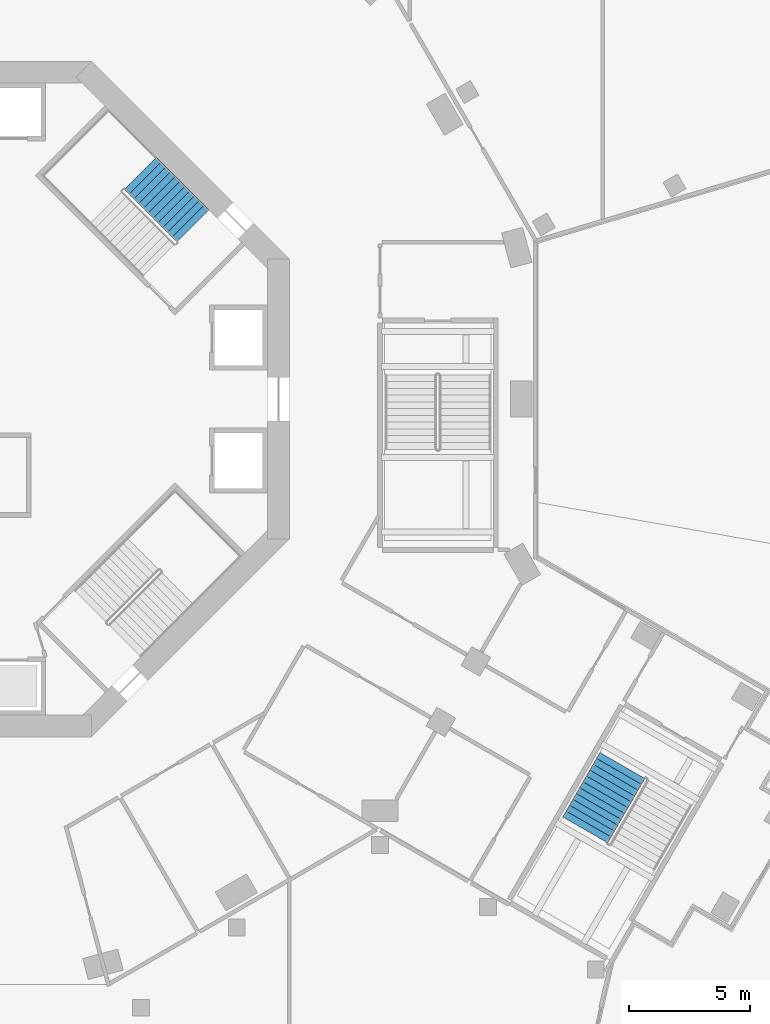
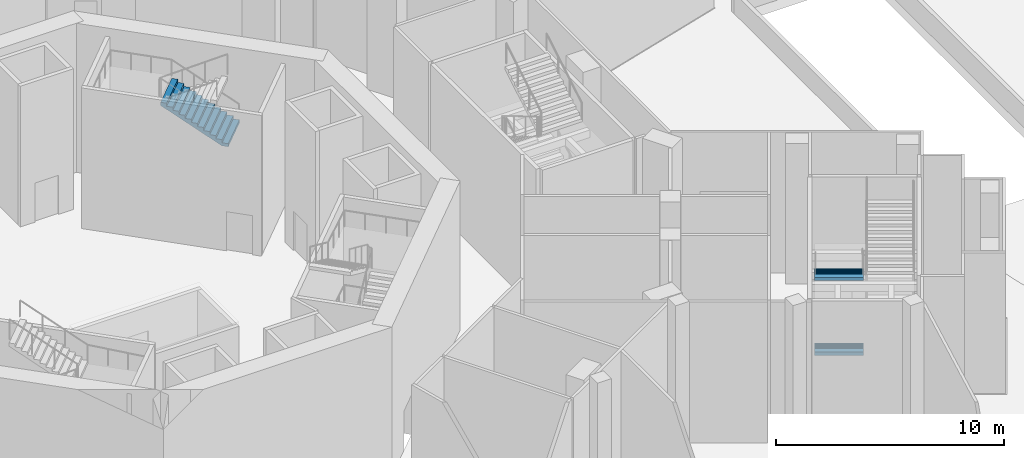
# One storey, part 18 of 30: 3 stair flights, 2 elements without a shape of their own.
"""IFC4 building model written with IfcOpenShell, lengths in metres."""

from ifc_helpers import new_model, si_unit, direction, frame, origin, place, context, subcontext, project, spatial, triangles, material, type_object, element, aggregate, save


model = new_model("IFC4")

# Units and contexts
model_context = context("Model", 3, precision=1e-05, world=origin(), true_north=direction((0.0, 1.0)))
body_context = subcontext(model_context, "Body", "Model", "MODEL_VIEW")
ifc_project = project(units=[si_unit("LENGTHUNIT", "METRE"), si_unit("AREAUNIT", "SQUARE_METRE"), si_unit("VOLUMEUNIT", "CUBIC_METRE"), si_unit("PLANEANGLEUNIT", "RADIAN"), si_unit("MASSUNIT", "GRAM", prefix="KILO")], contexts=[model_context])

# Site, building, storey
site_placement = place(None, origin())
site = spatial("IfcSite", under=ifc_project, at=site_placement, CompositionType="ELEMENT")
building_placement = place(site_placement, origin())
building = spatial("IfcBuilding", under=site, at=building_placement, Name="Verdalira Terraces Hotel", CompositionType="ELEMENT")
storey_placement = place(building_placement, origin())
storey = spatial("IfcBuildingStorey", under=building, at=storey_placement, Name="L00", CompositionType="ELEMENT", Elevation=0.0)

# Stair, stair flight
ifc_material_1 = material(Name="Concrete C40", Category="concrete")
stair_type_1 = type_object("IfcStairType", Name="Core stair 48 risers 1900 mm wide", PredefinedType="HALF_TURN_STAIR", material=ifc_material_1)
stair_1_placement = place(storey_placement, origin())
stair_1 = element("IfcStair", 1, at=stair_1_placement, inside=storey, type_object=stair_type_1, Name="L00 Exit stair ST1", PredefinedType="HALF_TURN_STAIR")
ifc_material_2 = material(Name="Concrete C40", Category="concrete")
stair_flight_type_1 = type_object("IfcStairFlightType", Name="Core stair flight 48 risers 1900 mm wide", PredefinedType="STRAIGHT", material=ifc_material_2)
stair_flight_1_placement = place(storey_placement, frame((10.005615, 7.177246, 4.0), z_axis=(0.0, 0.0, 1.0), x_axis=(-0.707106781, 0.707106781, 0.0)))
stair_flight_1 = element("IfcStairFlight", 2, at=stair_flight_1_placement, type_object=stair_flight_type_1, Name="ST1 flight 3", NumberOfRisers=12, NumberOfTreads=11, PredefinedType="STRAIGHT", RiserHeight=0.166666667, TreadLength=0.28, context=body_context, shape_type="Tessellation", body=[
    triangles([(0.0, 0.949951, 0.0), (0.292969, 0.949951, 0.0), (3.080078, 0.949951, 1.658936), (0.0, -0.949951, 0.0), (0.292969, -0.949951, 0.0), (3.080078, -0.949951, 1.658936), (3.080078, 0.949951, 1.833252), (2.800049, 0.949951, 1.833252), (3.080078, -0.949951, 1.833252), (2.800049, -0.949951, 1.833252), (2.800049, 0.949951, 1.666748), (2.800049, -0.949951, 1.666748), (2.52002, 0.949951, 1.666748), (2.52002, -0.949951, 1.666748), (2.52002, 0.949951, 1.5), (2.52002, -0.949951, 1.5), (2.23999, 0.949951, 1.5), (2.23999, 0.949951, 1.333252), (2.23999, -0.949951, 1.5), (2.23999, -0.949951, 1.333252), (1.959961, 0.949951, 1.333252), (1.959961, 0.949951, 1.166748), (1.959961, -0.949951, 1.333252), (1.959961, -0.949951, 1.166748), (1.679932, 0.949951, 1.166748), (1.679932, 0.949951, 1.0), (1.679932, -0.949951, 1.166748), (1.679932, -0.949951, 1.0), (1.399902, 0.949951, 1.0), (1.399902, 0.949951, 0.833252), (1.399902, -0.949951, 1.0), (1.399902, -0.949951, 0.833252), (1.120117, 0.949951, 0.833252), (1.120117, 0.949951, 0.666748), (1.120117, -0.949951, 0.833252), (1.120117, -0.949951, 0.666748), (0.840088, 0.949951, 0.666748), (0.840088, 0.949951, 0.5), (0.840088, -0.949951, 0.666748), (0.840088, -0.949951, 0.5), (0.560059, 0.949951, 0.5), (0.560059, 0.949951, 0.333252), (0.560059, -0.949951, 0.5), (0.560059, -0.949951, 0.333252), (0.280029, 0.949951, 0.333252), (0.280029, 0.949951, 0.166748), (0.280029, -0.949951, 0.333252), (0.280029, -0.949951, 0.166748), (0.0, 0.949951, 0.166748), (0.0, -0.949951, 0.166748), (0.0, -0.890579, 0.0), (0.0, -0.890579, 0.166748), (0.0, -0.831207, 0.0), (0.0, -0.831207, 0.166748), (0.0, -0.771835, 0.0), (0.0, -0.771835, 0.166748), (0.0, -0.712463, 0.0), (0.0, -0.712463, 0.166748), (0.0, -0.653091, 0.0), (0.0, -0.653091, 0.166748), (0.0, -0.593719, 0.0), (0.0, -0.593719, 0.166748), (0.0, -0.534348, 0.0), (0.0, -0.534348, 0.166748), (0.0, -0.474976, 0.0), (0.0, -0.474976, 0.166748), (0.0, -0.415604, 0.0), (0.0, -0.415604, 0.166748), (0.0, -0.356232, 0.0), (0.0, -0.356232, 0.166748), (0.0, -0.29686, 0.0), (0.0, -0.29686, 0.166748), (0.0, -0.237488, 0.0), (0.0, -0.237488, 0.166748), (0.0, -0.178116, 0.0), (0.0, -0.178116, 0.166748), (0.0, -0.118744, 0.0), (0.0, -0.118744, 0.166748), (0.0, -0.059372, 0.0), (0.0, -0.059372, 0.166748), (0.0, 0.0, 0.0), (0.0, 0.0, 0.166748), (0.0, 0.059372, 0.0), (0.0, 0.059372, 0.166748), (0.0, 0.118744, 0.0), (0.0, 0.118744, 0.166748), (0.0, 0.178116, 0.0), (0.0, 0.178116, 0.166748), (0.0, 0.237488, 0.0), (0.0, 0.237488, 0.166748), (0.0, 0.29686, 0.0), (0.0, 0.29686, 0.166748), (0.0, 0.356232, 0.0), (0.0, 0.356232, 0.166748), (0.0, 0.415604, 0.0), (0.0, 0.415604, 0.166748), (0.0, 0.474976, 0.0), (0.0, 0.474976, 0.166748), (0.0, 0.534348, 0.0), (0.0, 0.534348, 0.166748), (0.0, 0.593719, 0.0), (0.0, 0.593719, 0.166748), (0.0, 0.653091, 0.0), (0.0, 0.653091, 0.166748), (0.0, 0.712463, 0.0), (0.0, 0.712463, 0.166748), (0.0, 0.771835, 0.0), (0.0, 0.771835, 0.166748), (0.0, 0.831207, 0.0), (0.0, 0.831207, 0.166748), (0.0, 0.890579, 0.0), (0.0, 0.890579, 0.166748), (3.080078, -0.890579, 1.833252), (3.080078, -0.831207, 1.833252), (3.080078, -0.771835, 1.833252), (3.080078, -0.712463, 1.833252), (3.080078, -0.653091, 1.833252), (3.080078, -0.593719, 1.833252), (3.080078, -0.534348, 1.833252), (3.080078, -0.474976, 1.833252), (3.080078, -0.415604, 1.833252), (3.080078, -0.356232, 1.833252), (3.080078, -0.29686, 1.833252), (3.080078, -0.237488, 1.833252), (3.080078, -0.178116, 1.833252), (3.080078, -0.118744, 1.833252), (3.080078, -0.059372, 1.833252), (3.080078, 0.0, 1.833252), (3.080078, 0.059372, 1.833252), (3.080078, 0.118744, 1.833252), (3.080078, 0.178116, 1.833252), (3.080078, 0.237488, 1.833252), (3.080078, 0.29686, 1.833252), (3.080078, 0.356232, 1.833252), (3.080078, 0.415604, 1.833252), (3.080078, 0.474976, 1.833252), (3.080078, 0.534348, 1.833252), (3.080078, 0.593719, 1.833252), (3.080078, 0.653091, 1.833252), (3.080078, 0.712463, 1.833252), (3.080078, 0.771835, 1.833252), (3.080078, 0.831207, 1.833252), (3.080078, 0.890579, 1.833252), (3.080078, -0.890579, 1.658936), (3.080078, -0.831207, 1.658936), (3.080078, -0.771835, 1.658936), (3.080078, -0.712463, 1.658936), (3.080078, -0.653091, 1.658936), (3.080078, -0.593719, 1.658936), (3.080078, -0.534348, 1.658936), (3.080078, -0.474976, 1.658936), (3.080078, -0.415604, 1.658936), (3.080078, -0.356232, 1.658936), (3.080078, -0.29686, 1.658936), (3.080078, -0.237488, 1.658936), (3.080078, -0.178116, 1.658936), (3.080078, -0.118744, 1.658936), (3.080078, -0.059372, 1.658936), (3.080078, 0.0, 1.658936), (3.080078, 0.059372, 1.658936), (3.080078, 0.118744, 1.658936), (3.080078, 0.178116, 1.658936), (3.080078, 0.237488, 1.658936), (3.080078, 0.29686, 1.658936), (3.080078, 0.356232, 1.658936), (3.080078, 0.415604, 1.658936), (3.080078, 0.474976, 1.658936), (3.080078, 0.534348, 1.658936), (3.080078, 0.593719, 1.658936), (3.080078, 0.653091, 1.658936), (3.080078, 0.712463, 1.658936), (3.080078, 0.771835, 1.658936), (3.080078, 0.831207, 1.658936), (3.080078, 0.890579, 1.658936)], [[1, 3, 2], [4, 5, 6], [3, 8, 7], [6, 9, 10], [3, 11, 8], [6, 10, 12], [3, 13, 11], [6, 12, 14], [3, 15, 13], [6, 14, 16], [15, 18, 17], [16, 19, 20], [3, 18, 15], [6, 16, 20], [18, 22, 21], [20, 23, 24], [3, 22, 18], [6, 20, 24], [22, 26, 25], [24, 27, 28], [3, 26, 22], [6, 24, 28], [26, 30, 29], [28, 31, 32], [3, 30, 26], [6, 28, 32], [30, 34, 33], [32, 35, 36], [3, 34, 30], [6, 32, 36], [34, 38, 37], [36, 39, 40], [3, 38, 34], [6, 36, 40], [38, 42, 41], [40, 43, 44], [3, 42, 38], [6, 40, 44], [1, 42, 3], [4, 6, 44], [42, 46, 45], [44, 47, 48], [1, 46, 42], [4, 44, 48], [46, 1, 49], [48, 50, 4], [4, 52, 51], [4, 50, 52], [51, 54, 53], [51, 52, 54], [53, 56, 55], [53, 54, 56], [55, 58, 57], [55, 56, 58], [57, 60, 59], [57, 58, 60], [59, 62, 61], [59, 60, 62], [61, 64, 63], [61, 62, 64], [63, 66, 65], [63, 64, 66], [65, 68, 67], [65, 66, 68], [67, 70, 69], [67, 68, 70], [69, 72, 71], [69, 70, 72], [71, 74, 73], [71, 72, 74], [73, 76, 75], [73, 74, 76], [75, 78, 77], [75, 76, 78], [77, 80, 79], [77, 78, 80], [79, 82, 81], [79, 80, 82], [81, 84, 83], [81, 82, 84], [83, 86, 85], [83, 84, 86], [85, 88, 87], [85, 86, 88], [87, 90, 89], [87, 88, 90], [89, 92, 91], [89, 90, 92], [91, 94, 93], [91, 92, 94], [93, 96, 95], [93, 94, 96], [95, 98, 97], [95, 96, 98], [97, 100, 99], [97, 98, 100], [99, 102, 101], [99, 100, 102], [101, 104, 103], [101, 102, 104], [103, 106, 105], [103, 104, 106], [105, 108, 107], [105, 106, 108], [107, 110, 109], [107, 108, 110], [109, 112, 111], [109, 110, 112], [111, 49, 1], [111, 112, 49], [50, 48, 52], [52, 48, 54], [54, 48, 56], [56, 48, 58], [58, 48, 60], [60, 48, 62], [62, 48, 64], [64, 48, 66], [66, 48, 68], [68, 48, 70], [70, 48, 72], [72, 48, 74], [74, 48, 76], [76, 48, 78], [78, 48, 80], [80, 48, 82], [82, 48, 84], [84, 48, 86], [86, 48, 88], [88, 48, 90], [90, 48, 92], [92, 48, 94], [94, 48, 96], [96, 48, 98], [98, 48, 100], [100, 48, 102], [102, 48, 104], [104, 48, 106], [106, 48, 108], [108, 48, 110], [110, 48, 112], [112, 48, 49], [49, 48, 46], [48, 45, 46], [48, 47, 45], [47, 42, 45], [47, 44, 42], [44, 41, 42], [44, 43, 41], [43, 38, 41], [43, 40, 38], [40, 37, 38], [40, 39, 37], [39, 34, 37], [39, 36, 34], [36, 33, 34], [36, 35, 33], [35, 30, 33], [35, 32, 30], [32, 29, 30], [32, 31, 29], [31, 26, 29], [31, 28, 26], [28, 25, 26], [28, 27, 25], [27, 22, 25], [27, 24, 22], [24, 21, 22], [24, 23, 21], [23, 18, 21], [23, 20, 18], [20, 17, 18], [20, 19, 17], [19, 15, 17], [19, 16, 15], [16, 13, 15], [16, 14, 13], [14, 11, 13], [14, 12, 11], [12, 8, 11], [12, 10, 8], [9, 113, 10], [113, 114, 10], [114, 115, 10], [115, 116, 10], [116, 117, 10], [117, 118, 10], [118, 119, 10], [119, 120, 10], [120, 121, 10], [121, 122, 10], [122, 123, 10], [123, 124, 10], [124, 125, 10], [125, 126, 10], [126, 127, 10], [127, 128, 10], [128, 129, 10], [129, 130, 10], [130, 131, 10], [131, 132, 10], [132, 133, 10], [133, 134, 10], [134, 135, 10], [135, 136, 10], [136, 137, 10], [137, 138, 10], [138, 139, 10], [139, 140, 10], [140, 141, 10], [141, 142, 10], [142, 143, 10], [143, 7, 10], [7, 8, 10], [9, 144, 113], [9, 6, 144], [113, 145, 114], [113, 144, 145], [114, 146, 115], [114, 145, 146], [115, 147, 116], [115, 146, 147], [116, 148, 117], [116, 147, 148], [117, 149, 118], [117, 148, 149], [118, 150, 119], [118, 149, 150], [119, 151, 120], [119, 150, 151], [120, 152, 121], [120, 151, 152], [121, 153, 122], [121, 152, 153], [122, 154, 123], [122, 153, 154], [123, 155, 124], [123, 154, 155], [124, 156, 125], [124, 155, 156], [125, 157, 126], [125, 156, 157], [126, 158, 127], [126, 157, 158], [127, 159, 128], [127, 158, 159], [128, 160, 129], [128, 159, 160], [129, 161, 130], [129, 160, 161], [130, 162, 131], [130, 161, 162], [131, 163, 132], [131, 162, 163], [132, 164, 133], [132, 163, 164], [133, 165, 134], [133, 164, 165], [134, 166, 135], [134, 165, 166], [135, 167, 136], [135, 166, 167], [136, 168, 137], [136, 167, 168], [137, 169, 138], [137, 168, 169], [138, 170, 139], [138, 169, 170], [139, 171, 140], [139, 170, 171], [140, 172, 141], [140, 171, 172], [141, 173, 142], [141, 172, 173], [142, 174, 143], [142, 173, 174], [143, 3, 7], [143, 174, 3], [6, 5, 144], [144, 5, 145], [145, 5, 146], [146, 5, 147], [147, 5, 148], [148, 5, 149], [149, 5, 150], [150, 5, 151], [151, 5, 152], [152, 5, 153], [153, 5, 154], [154, 5, 155], [155, 5, 156], [156, 5, 157], [157, 5, 158], [158, 5, 159], [159, 5, 160], [160, 5, 161], [161, 5, 162], [162, 5, 163], [163, 5, 164], [164, 5, 165], [165, 5, 166], [166, 5, 167], [167, 5, 168], [168, 5, 169], [169, 5, 170], [170, 5, 171], [171, 5, 172], [172, 5, 173], [173, 5, 174], [174, 5, 3], [3, 5, 2], [4, 51, 5], [51, 53, 5], [53, 55, 5], [55, 57, 5], [57, 59, 5], [59, 61, 5], [61, 63, 5], [63, 65, 5], [65, 67, 5], [67, 69, 5], [69, 71, 5], [71, 73, 5], [73, 75, 5], [75, 77, 5], [77, 79, 5], [79, 81, 5], [81, 83, 5], [83, 85, 5], [85, 87, 5], [87, 89, 5], [89, 91, 5], [91, 93, 5], [93, 95, 5], [95, 97, 5], [97, 99, 5], [99, 101, 5], [101, 103, 5], [103, 105, 5], [105, 107, 5], [107, 109, 5], [109, 111, 5], [111, 1, 5], [1, 2, 5]], closed=True),
])
aggregate(stair_1, [stair_flight_1])

# Stair, stair flights
ifc_material_3 = material(Name="Concrete C40", Category="concrete")
stair_type_2 = type_object("IfcStairType", Name="Podium stair 48 risers", PredefinedType="HALF_TURN_STAIR", material=ifc_material_3)
stair_2_placement = place(storey_placement, origin())
stair_2 = element("IfcStair", 3, at=stair_2_placement, inside=storey, type_object=stair_type_2, Name="L00 Exit stair PS3", PredefinedType="HALF_TURN_STAIR")
ifc_material_4 = material(Name="Concrete C40", Category="concrete")
stair_flight_type_2 = type_object("IfcStairFlightType", Name="Podium stair flight 48 risers", PredefinedType="STRAIGHT", material=ifc_material_4)
stair_flight_2_placement = place(storey_placement, frame((27.806396, -15.187988, 0.0), z_axis=(0.0, 0.0, 1.0), x_axis=(-0.5, -0.866025404, 0.0)))
stair_flight_2 = element("IfcStairFlight", 4, at=stair_flight_2_placement, type_object=stair_flight_type_2, Name="PS3 flight 1", NumberOfRisers=12, NumberOfTreads=11, PredefinedType="STRAIGHT", RiserHeight=0.166666667, TreadLength=0.28, context=body_context, shape_type="Tessellation", body=[
    triangles([(0.0, 1.074951, 0.0), (0.292969, 1.074951, 0.0), (3.080078, 1.074951, 1.658936), (0.0, -1.074951, 0.0), (0.292969, -1.074951, 0.0), (3.080078, -1.074951, 1.658936), (3.080078, 1.074951, 1.833252), (2.800049, 1.074951, 1.833252), (3.080078, -1.074951, 1.833252), (2.800049, -1.074951, 1.833252), (2.800049, 1.074951, 1.666748), (2.800049, -1.074951, 1.666748), (2.52002, 1.074951, 1.666748), (2.52002, -1.074951, 1.666748), (2.52002, 1.074951, 1.5), (2.52002, -1.074951, 1.5), (2.23999, 1.074951, 1.5), (2.23999, 1.074951, 1.333252), (2.23999, -1.074951, 1.5), (2.23999, -1.074951, 1.333252), (1.959961, 1.074951, 1.333252), (1.959961, 1.074951, 1.166748), (1.959961, -1.074951, 1.333252), (1.959961, -1.074951, 1.166748), (1.679932, 1.074951, 1.166748), (1.679932, 1.074951, 1.0), (1.679932, -1.074951, 1.166748), (1.679932, -1.074951, 1.0), (1.399902, 1.074951, 1.0), (1.399902, 1.074951, 0.833252), (1.399902, -1.074951, 1.0), (1.399902, -1.074951, 0.833252), (1.120117, 1.074951, 0.833252), (1.120117, 1.074951, 0.666748), (1.120117, -1.074951, 0.833252), (1.120117, -1.074951, 0.666748), (0.840088, 1.074951, 0.666748), (0.840088, 1.074951, 0.5), (0.840088, -1.074951, 0.666748), (0.840088, -1.074951, 0.5), (0.560059, 1.074951, 0.5), (0.560059, 1.074951, 0.333252), (0.560059, -1.074951, 0.5), (0.560059, -1.074951, 0.333252), (0.280029, 1.074951, 0.333252), (0.280029, 1.074951, 0.166748), (0.280029, -1.074951, 0.333252), (0.280029, -1.074951, 0.166748), (0.0, 1.074951, 0.166748), (0.0, -1.074951, 0.166748), (0.0, -1.007767, 0.0), (0.0, -1.007767, 0.166748), (0.0, -0.940582, 0.0), (0.0, -0.940582, 0.166748), (0.0, -0.873398, 0.0), (0.0, -0.873398, 0.166748), (0.0, -0.806213, 0.0), (0.0, -0.806213, 0.166748), (0.0, -0.739029, 0.0), (0.0, -0.739029, 0.166748), (0.0, -0.671844, 0.0), (0.0, -0.671844, 0.166748), (0.0, -0.60466, 0.0), (0.0, -0.60466, 0.166748), (0.0, -0.537476, 0.0), (0.0, -0.537476, 0.166748), (0.0, -0.470291, 0.0), (0.0, -0.470291, 0.166748), (0.0, -0.403107, 0.0), (0.0, -0.403107, 0.166748), (0.0, -0.335922, 0.0), (0.0, -0.335922, 0.166748), (0.0, -0.268738, 0.0), (0.0, -0.268738, 0.166748), (0.0, -0.201553, 0.0), (0.0, -0.201553, 0.166748), (0.0, -0.134369, 0.0), (0.0, -0.134369, 0.166748), (0.0, -0.067184, 0.0), (0.0, -0.067184, 0.166748), (0.0, 0.0, 0.0), (0.0, 0.0, 0.166748), (0.0, 0.067184, 0.0), (0.0, 0.067184, 0.166748), (0.0, 0.134369, 0.0), (0.0, 0.134369, 0.166748), (0.0, 0.201553, 0.0), (0.0, 0.201553, 0.166748), (0.0, 0.268738, 0.0), (0.0, 0.268738, 0.166748), (0.0, 0.335922, 0.0), (0.0, 0.335922, 0.166748), (0.0, 0.403107, 0.0), (0.0, 0.403107, 0.166748), (0.0, 0.470291, 0.0), (0.0, 0.470291, 0.166748), (0.0, 0.537476, 0.0), (0.0, 0.537476, 0.166748), (0.0, 0.60466, 0.0), (0.0, 0.60466, 0.166748), (0.0, 0.671844, 0.0), (0.0, 0.671844, 0.166748), (0.0, 0.739029, 0.0), (0.0, 0.739029, 0.166748), (0.0, 0.806213, 0.0), (0.0, 0.806213, 0.166748), (0.0, 0.873398, 0.0), (0.0, 0.873398, 0.166748), (0.0, 0.940582, 0.0), (0.0, 0.940582, 0.166748), (0.0, 1.007767, 0.0), (0.0, 1.007767, 0.166748), (3.080078, -1.007767, 1.833252), (3.080078, -0.940582, 1.833252), (3.080078, -0.873398, 1.833252), (3.080078, -0.806213, 1.833252), (3.080078, -0.739029, 1.833252), (3.080078, -0.671844, 1.833252), (3.080078, -0.60466, 1.833252), (3.080078, -0.537476, 1.833252), (3.080078, -0.470291, 1.833252), (3.080078, -0.403107, 1.833252), (3.080078, -0.335922, 1.833252), (3.080078, -0.268738, 1.833252), (3.080078, -0.201553, 1.833252), (3.080078, -0.134369, 1.833252), (3.080078, -0.067184, 1.833252), (3.080078, 0.0, 1.833252), (3.080078, 0.067184, 1.833252), (3.080078, 0.134369, 1.833252), (3.080078, 0.201553, 1.833252), (3.080078, 0.268738, 1.833252), (3.080078, 0.335922, 1.833252), (3.080078, 0.403107, 1.833252), (3.080078, 0.470291, 1.833252), (3.080078, 0.537476, 1.833252), (3.080078, 0.60466, 1.833252), (3.080078, 0.671844, 1.833252), (3.080078, 0.739029, 1.833252), (3.080078, 0.806213, 1.833252), (3.080078, 0.873398, 1.833252), (3.080078, 0.940582, 1.833252), (3.080078, 1.007767, 1.833252), (3.080078, -1.007767, 1.658936), (3.080078, -0.940582, 1.658936), (3.080078, -0.873398, 1.658936), (3.080078, -0.806213, 1.658936), (3.080078, -0.739029, 1.658936), (3.080078, -0.671844, 1.658936), (3.080078, -0.60466, 1.658936), (3.080078, -0.537476, 1.658936), (3.080078, -0.470291, 1.658936), (3.080078, -0.403107, 1.658936), (3.080078, -0.335922, 1.658936), (3.080078, -0.268738, 1.658936), (3.080078, -0.201553, 1.658936), (3.080078, -0.134369, 1.658936), (3.080078, -0.067184, 1.658936), (3.080078, 0.0, 1.658936), (3.080078, 0.067184, 1.658936), (3.080078, 0.134369, 1.658936), (3.080078, 0.201553, 1.658936), (3.080078, 0.268738, 1.658936), (3.080078, 0.335922, 1.658936), (3.080078, 0.403107, 1.658936), (3.080078, 0.470291, 1.658936), (3.080078, 0.537476, 1.658936), (3.080078, 0.60466, 1.658936), (3.080078, 0.671844, 1.658936), (3.080078, 0.739029, 1.658936), (3.080078, 0.806213, 1.658936), (3.080078, 0.873398, 1.658936), (3.080078, 0.940582, 1.658936), (3.080078, 1.007767, 1.658936)], [[1, 3, 2], [4, 5, 6], [3, 8, 7], [6, 9, 10], [3, 11, 8], [6, 10, 12], [3, 13, 11], [6, 12, 14], [3, 15, 13], [6, 14, 16], [15, 18, 17], [16, 19, 20], [3, 18, 15], [6, 16, 20], [18, 22, 21], [20, 23, 24], [3, 22, 18], [6, 20, 24], [22, 26, 25], [24, 27, 28], [3, 26, 22], [6, 24, 28], [26, 30, 29], [28, 31, 32], [3, 30, 26], [6, 28, 32], [30, 34, 33], [32, 35, 36], [3, 34, 30], [6, 32, 36], [34, 38, 37], [36, 39, 40], [3, 38, 34], [6, 36, 40], [38, 42, 41], [40, 43, 44], [3, 42, 38], [6, 40, 44], [1, 42, 3], [4, 6, 44], [42, 46, 45], [44, 47, 48], [1, 46, 42], [4, 44, 48], [46, 1, 49], [48, 50, 4], [4, 52, 51], [4, 50, 52], [51, 54, 53], [51, 52, 54], [53, 56, 55], [53, 54, 56], [55, 58, 57], [55, 56, 58], [57, 60, 59], [57, 58, 60], [59, 62, 61], [59, 60, 62], [61, 64, 63], [61, 62, 64], [63, 66, 65], [63, 64, 66], [65, 68, 67], [65, 66, 68], [67, 70, 69], [67, 68, 70], [69, 72, 71], [69, 70, 72], [71, 74, 73], [71, 72, 74], [73, 76, 75], [73, 74, 76], [75, 78, 77], [75, 76, 78], [77, 80, 79], [77, 78, 80], [79, 82, 81], [79, 80, 82], [81, 84, 83], [81, 82, 84], [83, 86, 85], [83, 84, 86], [85, 88, 87], [85, 86, 88], [87, 90, 89], [87, 88, 90], [89, 92, 91], [89, 90, 92], [91, 94, 93], [91, 92, 94], [93, 96, 95], [93, 94, 96], [95, 98, 97], [95, 96, 98], [97, 100, 99], [97, 98, 100], [99, 102, 101], [99, 100, 102], [101, 104, 103], [101, 102, 104], [103, 106, 105], [103, 104, 106], [105, 108, 107], [105, 106, 108], [107, 110, 109], [107, 108, 110], [109, 112, 111], [109, 110, 112], [111, 49, 1], [111, 112, 49], [50, 48, 52], [52, 48, 54], [54, 48, 56], [56, 48, 58], [58, 48, 60], [60, 48, 62], [62, 48, 64], [64, 48, 66], [66, 48, 68], [68, 48, 70], [70, 48, 72], [72, 48, 74], [74, 48, 76], [76, 48, 78], [78, 48, 80], [80, 48, 82], [82, 48, 84], [84, 48, 86], [86, 48, 88], [88, 48, 90], [90, 48, 92], [92, 48, 94], [94, 48, 96], [96, 48, 98], [98, 48, 100], [100, 48, 102], [102, 48, 104], [104, 48, 106], [106, 48, 108], [108, 48, 110], [110, 48, 112], [112, 48, 49], [49, 48, 46], [48, 45, 46], [48, 47, 45], [47, 42, 45], [47, 44, 42], [44, 41, 42], [44, 43, 41], [43, 38, 41], [43, 40, 38], [40, 37, 38], [40, 39, 37], [39, 34, 37], [39, 36, 34], [36, 33, 34], [36, 35, 33], [35, 30, 33], [35, 32, 30], [32, 29, 30], [32, 31, 29], [31, 26, 29], [31, 28, 26], [28, 25, 26], [28, 27, 25], [27, 22, 25], [27, 24, 22], [24, 21, 22], [24, 23, 21], [23, 18, 21], [23, 20, 18], [20, 17, 18], [20, 19, 17], [19, 15, 17], [19, 16, 15], [16, 13, 15], [16, 14, 13], [14, 11, 13], [14, 12, 11], [12, 8, 11], [12, 10, 8], [9, 113, 10], [113, 114, 10], [114, 115, 10], [115, 116, 10], [116, 117, 10], [117, 118, 10], [118, 119, 10], [119, 120, 10], [120, 121, 10], [121, 122, 10], [122, 123, 10], [123, 124, 10], [124, 125, 10], [125, 126, 10], [126, 127, 10], [127, 128, 10], [128, 129, 10], [129, 130, 10], [130, 131, 10], [131, 132, 10], [132, 133, 10], [133, 134, 10], [134, 135, 10], [135, 136, 10], [136, 137, 10], [137, 138, 10], [138, 139, 10], [139, 140, 10], [140, 141, 10], [141, 142, 10], [142, 143, 10], [143, 7, 10], [7, 8, 10], [9, 144, 113], [9, 6, 144], [113, 145, 114], [113, 144, 145], [114, 146, 115], [114, 145, 146], [115, 147, 116], [115, 146, 147], [116, 148, 117], [116, 147, 148], [117, 149, 118], [117, 148, 149], [118, 150, 119], [118, 149, 150], [119, 151, 120], [119, 150, 151], [120, 152, 121], [120, 151, 152], [121, 153, 122], [121, 152, 153], [122, 154, 123], [122, 153, 154], [123, 155, 124], [123, 154, 155], [124, 156, 125], [124, 155, 156], [125, 157, 126], [125, 156, 157], [126, 158, 127], [126, 157, 158], [127, 159, 128], [127, 158, 159], [128, 160, 129], [128, 159, 160], [129, 161, 130], [129, 160, 161], [130, 162, 131], [130, 161, 162], [131, 163, 132], [131, 162, 163], [132, 164, 133], [132, 163, 164], [133, 165, 134], [133, 164, 165], [134, 166, 135], [134, 165, 166], [135, 167, 136], [135, 166, 167], [136, 168, 137], [136, 167, 168], [137, 169, 138], [137, 168, 169], [138, 170, 139], [138, 169, 170], [139, 171, 140], [139, 170, 171], [140, 172, 141], [140, 171, 172], [141, 173, 142], [141, 172, 173], [142, 174, 143], [142, 173, 174], [143, 3, 7], [143, 174, 3], [6, 5, 144], [144, 5, 145], [145, 5, 146], [146, 5, 147], [147, 5, 148], [148, 5, 149], [149, 5, 150], [150, 5, 151], [151, 5, 152], [152, 5, 153], [153, 5, 154], [154, 5, 155], [155, 5, 156], [156, 5, 157], [157, 5, 158], [158, 5, 159], [159, 5, 160], [160, 5, 161], [161, 5, 162], [162, 5, 163], [163, 5, 164], [164, 5, 165], [165, 5, 166], [166, 5, 167], [167, 5, 168], [168, 5, 169], [169, 5, 170], [170, 5, 171], [171, 5, 172], [172, 5, 173], [173, 5, 174], [174, 5, 3], [3, 5, 2], [4, 51, 5], [51, 53, 5], [53, 55, 5], [55, 57, 5], [57, 59, 5], [59, 61, 5], [61, 63, 5], [63, 65, 5], [65, 67, 5], [67, 69, 5], [69, 71, 5], [71, 73, 5], [73, 75, 5], [75, 77, 5], [77, 79, 5], [79, 81, 5], [81, 83, 5], [83, 85, 5], [85, 87, 5], [87, 89, 5], [89, 91, 5], [91, 93, 5], [93, 95, 5], [95, 97, 5], [97, 99, 5], [99, 101, 5], [101, 103, 5], [103, 105, 5], [105, 107, 5], [107, 109, 5], [109, 111, 5], [111, 1, 5], [1, 2, 5]], closed=True),
])
stair_flight_3_placement = place(storey_placement, frame((27.806396, -15.187988, 4.0), z_axis=(0.0, 0.0, 1.0), x_axis=(-0.5, -0.866025404, 0.0)))
stair_flight_3 = element("IfcStairFlight", 5, at=stair_flight_3_placement, type_object=stair_flight_type_2, Name="PS3 flight 3", NumberOfRisers=12, NumberOfTreads=11, PredefinedType="STRAIGHT", RiserHeight=0.166666667, TreadLength=0.28, context=body_context, shape_type="Tessellation", body=[
    triangles([(0.0, 1.074951, 0.0), (0.292969, 1.074951, 0.0), (3.080078, 1.074951, 1.658936), (0.0, -1.074951, 0.0), (0.292969, -1.074951, 0.0), (3.080078, -1.074951, 1.658936), (3.080078, 1.074951, 1.833252), (2.800049, 1.074951, 1.833252), (3.080078, -1.074951, 1.833252), (2.800049, -1.074951, 1.833252), (2.800049, 1.074951, 1.666748), (2.800049, -1.074951, 1.666748), (2.52002, 1.074951, 1.666748), (2.52002, -1.074951, 1.666748), (2.52002, 1.074951, 1.5), (2.52002, -1.074951, 1.5), (2.23999, 1.074951, 1.5), (2.23999, 1.074951, 1.333252), (2.23999, -1.074951, 1.5), (2.23999, -1.074951, 1.333252), (1.959961, 1.074951, 1.333252), (1.959961, 1.074951, 1.166748), (1.959961, -1.074951, 1.333252), (1.959961, -1.074951, 1.166748), (1.679932, 1.074951, 1.166748), (1.679932, 1.074951, 1.0), (1.679932, -1.074951, 1.166748), (1.679932, -1.074951, 1.0), (1.399902, 1.074951, 1.0), (1.399902, 1.074951, 0.833252), (1.399902, -1.074951, 1.0), (1.399902, -1.074951, 0.833252), (1.120117, 1.074951, 0.833252), (1.120117, 1.074951, 0.666748), (1.120117, -1.074951, 0.833252), (1.120117, -1.074951, 0.666748), (0.840088, 1.074951, 0.666748), (0.840088, 1.074951, 0.5), (0.840088, -1.074951, 0.666748), (0.840088, -1.074951, 0.5), (0.560059, 1.074951, 0.5), (0.560059, 1.074951, 0.333252), (0.560059, -1.074951, 0.5), (0.560059, -1.074951, 0.333252), (0.280029, 1.074951, 0.333252), (0.280029, 1.074951, 0.166748), (0.280029, -1.074951, 0.333252), (0.280029, -1.074951, 0.166748), (0.0, 1.074951, 0.166748), (0.0, -1.074951, 0.166748), (0.0, -1.007767, 0.0), (0.0, -1.007767, 0.166748), (0.0, -0.940582, 0.0), (0.0, -0.940582, 0.166748), (0.0, -0.873398, 0.0), (0.0, -0.873398, 0.166748), (0.0, -0.806213, 0.0), (0.0, -0.806213, 0.166748), (0.0, -0.739029, 0.0), (0.0, -0.739029, 0.166748), (0.0, -0.671844, 0.0), (0.0, -0.671844, 0.166748), (0.0, -0.60466, 0.0), (0.0, -0.60466, 0.166748), (0.0, -0.537476, 0.0), (0.0, -0.537476, 0.166748), (0.0, -0.470291, 0.0), (0.0, -0.470291, 0.166748), (0.0, -0.403107, 0.0), (0.0, -0.403107, 0.166748), (0.0, -0.335922, 0.0), (0.0, -0.335922, 0.166748), (0.0, -0.268738, 0.0), (0.0, -0.268738, 0.166748), (0.0, -0.201553, 0.0), (0.0, -0.201553, 0.166748), (0.0, -0.134369, 0.0), (0.0, -0.134369, 0.166748), (0.0, -0.067184, 0.0), (0.0, -0.067184, 0.166748), (0.0, 0.0, 0.0), (0.0, 0.0, 0.166748), (0.0, 0.067184, 0.0), (0.0, 0.067184, 0.166748), (0.0, 0.134369, 0.0), (0.0, 0.134369, 0.166748), (0.0, 0.201553, 0.0), (0.0, 0.201553, 0.166748), (0.0, 0.268738, 0.0), (0.0, 0.268738, 0.166748), (0.0, 0.335922, 0.0), (0.0, 0.335922, 0.166748), (0.0, 0.403107, 0.0), (0.0, 0.403107, 0.166748), (0.0, 0.470291, 0.0), (0.0, 0.470291, 0.166748), (0.0, 0.537476, 0.0), (0.0, 0.537476, 0.166748), (0.0, 0.60466, 0.0), (0.0, 0.60466, 0.166748), (0.0, 0.671844, 0.0), (0.0, 0.671844, 0.166748), (0.0, 0.739029, 0.0), (0.0, 0.739029, 0.166748), (0.0, 0.806213, 0.0), (0.0, 0.806213, 0.166748), (0.0, 0.873398, 0.0), (0.0, 0.873398, 0.166748), (0.0, 0.940582, 0.0), (0.0, 0.940582, 0.166748), (0.0, 1.007767, 0.0), (0.0, 1.007767, 0.166748), (3.080078, -1.007767, 1.833252), (3.080078, -0.940582, 1.833252), (3.080078, -0.873398, 1.833252), (3.080078, -0.806213, 1.833252), (3.080078, -0.739029, 1.833252), (3.080078, -0.671844, 1.833252), (3.080078, -0.60466, 1.833252), (3.080078, -0.537476, 1.833252), (3.080078, -0.470291, 1.833252), (3.080078, -0.403107, 1.833252), (3.080078, -0.335922, 1.833252), (3.080078, -0.268738, 1.833252), (3.080078, -0.201553, 1.833252), (3.080078, -0.134369, 1.833252), (3.080078, -0.067184, 1.833252), (3.080078, 0.0, 1.833252), (3.080078, 0.067184, 1.833252), (3.080078, 0.134369, 1.833252), (3.080078, 0.201553, 1.833252), (3.080078, 0.268738, 1.833252), (3.080078, 0.335922, 1.833252), (3.080078, 0.403107, 1.833252), (3.080078, 0.470291, 1.833252), (3.080078, 0.537476, 1.833252), (3.080078, 0.60466, 1.833252), (3.080078, 0.671844, 1.833252), (3.080078, 0.739029, 1.833252), (3.080078, 0.806213, 1.833252), (3.080078, 0.873398, 1.833252), (3.080078, 0.940582, 1.833252), (3.080078, 1.007767, 1.833252), (3.080078, -1.007767, 1.658936), (3.080078, -0.940582, 1.658936), (3.080078, -0.873398, 1.658936), (3.080078, -0.806213, 1.658936), (3.080078, -0.739029, 1.658936), (3.080078, -0.671844, 1.658936), (3.080078, -0.60466, 1.658936), (3.080078, -0.537476, 1.658936), (3.080078, -0.470291, 1.658936), (3.080078, -0.403107, 1.658936), (3.080078, -0.335922, 1.658936), (3.080078, -0.268738, 1.658936), (3.080078, -0.201553, 1.658936), (3.080078, -0.134369, 1.658936), (3.080078, -0.067184, 1.658936), (3.080078, 0.0, 1.658936), (3.080078, 0.067184, 1.658936), (3.080078, 0.134369, 1.658936), (3.080078, 0.201553, 1.658936), (3.080078, 0.268738, 1.658936), (3.080078, 0.335922, 1.658936), (3.080078, 0.403107, 1.658936), (3.080078, 0.470291, 1.658936), (3.080078, 0.537476, 1.658936), (3.080078, 0.60466, 1.658936), (3.080078, 0.671844, 1.658936), (3.080078, 0.739029, 1.658936), (3.080078, 0.806213, 1.658936), (3.080078, 0.873398, 1.658936), (3.080078, 0.940582, 1.658936), (3.080078, 1.007767, 1.658936)], [[1, 3, 2], [4, 5, 6], [3, 8, 7], [6, 9, 10], [3, 11, 8], [6, 10, 12], [3, 13, 11], [6, 12, 14], [3, 15, 13], [6, 14, 16], [15, 18, 17], [16, 19, 20], [3, 18, 15], [6, 16, 20], [18, 22, 21], [20, 23, 24], [3, 22, 18], [6, 20, 24], [22, 26, 25], [24, 27, 28], [3, 26, 22], [6, 24, 28], [26, 30, 29], [28, 31, 32], [3, 30, 26], [6, 28, 32], [30, 34, 33], [32, 35, 36], [3, 34, 30], [6, 32, 36], [34, 38, 37], [36, 39, 40], [3, 38, 34], [6, 36, 40], [38, 42, 41], [40, 43, 44], [3, 42, 38], [6, 40, 44], [1, 42, 3], [4, 6, 44], [42, 46, 45], [44, 47, 48], [1, 46, 42], [4, 44, 48], [46, 1, 49], [48, 50, 4], [4, 52, 51], [4, 50, 52], [51, 54, 53], [51, 52, 54], [53, 56, 55], [53, 54, 56], [55, 58, 57], [55, 56, 58], [57, 60, 59], [57, 58, 60], [59, 62, 61], [59, 60, 62], [61, 64, 63], [61, 62, 64], [63, 66, 65], [63, 64, 66], [65, 68, 67], [65, 66, 68], [67, 70, 69], [67, 68, 70], [69, 72, 71], [69, 70, 72], [71, 74, 73], [71, 72, 74], [73, 76, 75], [73, 74, 76], [75, 78, 77], [75, 76, 78], [77, 80, 79], [77, 78, 80], [79, 82, 81], [79, 80, 82], [81, 84, 83], [81, 82, 84], [83, 86, 85], [83, 84, 86], [85, 88, 87], [85, 86, 88], [87, 90, 89], [87, 88, 90], [89, 92, 91], [89, 90, 92], [91, 94, 93], [91, 92, 94], [93, 96, 95], [93, 94, 96], [95, 98, 97], [95, 96, 98], [97, 100, 99], [97, 98, 100], [99, 102, 101], [99, 100, 102], [101, 104, 103], [101, 102, 104], [103, 106, 105], [103, 104, 106], [105, 108, 107], [105, 106, 108], [107, 110, 109], [107, 108, 110], [109, 112, 111], [109, 110, 112], [111, 49, 1], [111, 112, 49], [50, 48, 52], [52, 48, 54], [54, 48, 56], [56, 48, 58], [58, 48, 60], [60, 48, 62], [62, 48, 64], [64, 48, 66], [66, 48, 68], [68, 48, 70], [70, 48, 72], [72, 48, 74], [74, 48, 76], [76, 48, 78], [78, 48, 80], [80, 48, 82], [82, 48, 84], [84, 48, 86], [86, 48, 88], [88, 48, 90], [90, 48, 92], [92, 48, 94], [94, 48, 96], [96, 48, 98], [98, 48, 100], [100, 48, 102], [102, 48, 104], [104, 48, 106], [106, 48, 108], [108, 48, 110], [110, 48, 112], [112, 48, 49], [49, 48, 46], [48, 45, 46], [48, 47, 45], [47, 42, 45], [47, 44, 42], [44, 41, 42], [44, 43, 41], [43, 38, 41], [43, 40, 38], [40, 37, 38], [40, 39, 37], [39, 34, 37], [39, 36, 34], [36, 33, 34], [36, 35, 33], [35, 30, 33], [35, 32, 30], [32, 29, 30], [32, 31, 29], [31, 26, 29], [31, 28, 26], [28, 25, 26], [28, 27, 25], [27, 22, 25], [27, 24, 22], [24, 21, 22], [24, 23, 21], [23, 18, 21], [23, 20, 18], [20, 17, 18], [20, 19, 17], [19, 15, 17], [19, 16, 15], [16, 13, 15], [16, 14, 13], [14, 11, 13], [14, 12, 11], [12, 8, 11], [12, 10, 8], [9, 113, 10], [113, 114, 10], [114, 115, 10], [115, 116, 10], [116, 117, 10], [117, 118, 10], [118, 119, 10], [119, 120, 10], [120, 121, 10], [121, 122, 10], [122, 123, 10], [123, 124, 10], [124, 125, 10], [125, 126, 10], [126, 127, 10], [127, 128, 10], [128, 129, 10], [129, 130, 10], [130, 131, 10], [131, 132, 10], [132, 133, 10], [133, 134, 10], [134, 135, 10], [135, 136, 10], [136, 137, 10], [137, 138, 10], [138, 139, 10], [139, 140, 10], [140, 141, 10], [141, 142, 10], [142, 143, 10], [143, 7, 10], [7, 8, 10], [9, 144, 113], [9, 6, 144], [113, 145, 114], [113, 144, 145], [114, 146, 115], [114, 145, 146], [115, 147, 116], [115, 146, 147], [116, 148, 117], [116, 147, 148], [117, 149, 118], [117, 148, 149], [118, 150, 119], [118, 149, 150], [119, 151, 120], [119, 150, 151], [120, 152, 121], [120, 151, 152], [121, 153, 122], [121, 152, 153], [122, 154, 123], [122, 153, 154], [123, 155, 124], [123, 154, 155], [124, 156, 125], [124, 155, 156], [125, 157, 126], [125, 156, 157], [126, 158, 127], [126, 157, 158], [127, 159, 128], [127, 158, 159], [128, 160, 129], [128, 159, 160], [129, 161, 130], [129, 160, 161], [130, 162, 131], [130, 161, 162], [131, 163, 132], [131, 162, 163], [132, 164, 133], [132, 163, 164], [133, 165, 134], [133, 164, 165], [134, 166, 135], [134, 165, 166], [135, 167, 136], [135, 166, 167], [136, 168, 137], [136, 167, 168], [137, 169, 138], [137, 168, 169], [138, 170, 139], [138, 169, 170], [139, 171, 140], [139, 170, 171], [140, 172, 141], [140, 171, 172], [141, 173, 142], [141, 172, 173], [142, 174, 143], [142, 173, 174], [143, 3, 7], [143, 174, 3], [6, 5, 144], [144, 5, 145], [145, 5, 146], [146, 5, 147], [147, 5, 148], [148, 5, 149], [149, 5, 150], [150, 5, 151], [151, 5, 152], [152, 5, 153], [153, 5, 154], [154, 5, 155], [155, 5, 156], [156, 5, 157], [157, 5, 158], [158, 5, 159], [159, 5, 160], [160, 5, 161], [161, 5, 162], [162, 5, 163], [163, 5, 164], [164, 5, 165], [165, 5, 166], [166, 5, 167], [167, 5, 168], [168, 5, 169], [169, 5, 170], [170, 5, 171], [171, 5, 172], [172, 5, 173], [173, 5, 174], [174, 5, 3], [3, 5, 2], [4, 51, 5], [51, 53, 5], [53, 55, 5], [55, 57, 5], [57, 59, 5], [59, 61, 5], [61, 63, 5], [63, 65, 5], [65, 67, 5], [67, 69, 5], [69, 71, 5], [71, 73, 5], [73, 75, 5], [75, 77, 5], [77, 79, 5], [79, 81, 5], [81, 83, 5], [83, 85, 5], [85, 87, 5], [87, 89, 5], [89, 91, 5], [91, 93, 5], [93, 95, 5], [95, 97, 5], [97, 99, 5], [99, 101, 5], [101, 103, 5], [103, 105, 5], [105, 107, 5], [107, 109, 5], [109, 111, 5], [111, 1, 5], [1, 2, 5]], closed=True),
])
aggregate(stair_2, [stair_flight_2, stair_flight_3])

save(model, "model.ifc")
